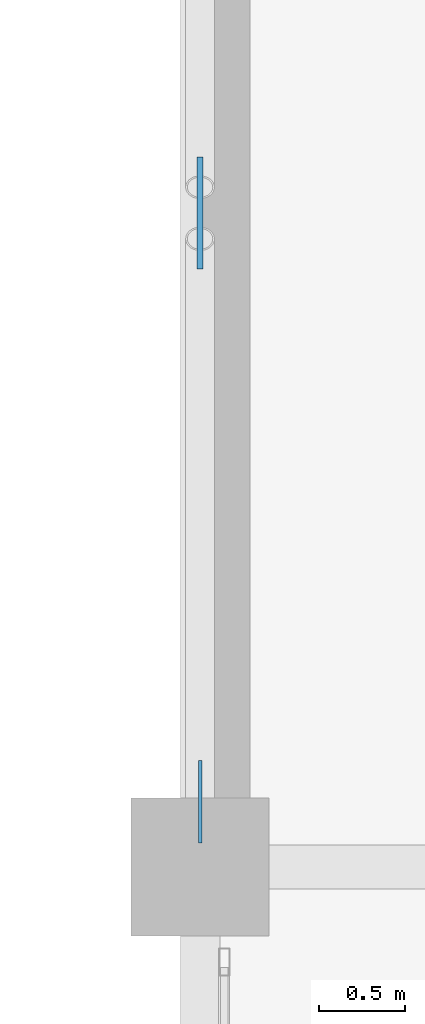
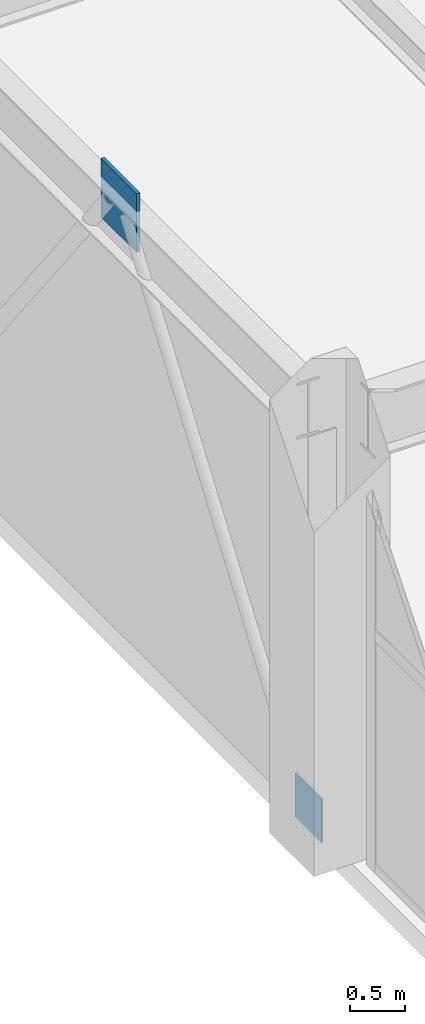
# One storey, part 107 of 128: 2 plates.
"""IFC4 building model written with IfcOpenShell, lengths in metres."""

from ifc_helpers import new_model, si_unit, direction, frame, origin, origin_2d, place, context, subcontext, project, spatial, rectangle, extrude, material, layer, layer_set, type_object, element, save


model = new_model("IFC4")

# Units and contexts
model_context = context("Model", 3, precision=1e-05, world=origin(), true_north=direction((0.0, 1.0)))
body_context = subcontext(model_context, "Body", "Model", "MODEL_VIEW")
ifc_project = project(units=[si_unit("LENGTHUNIT", "METRE"), si_unit("AREAUNIT", "SQUARE_METRE"), si_unit("VOLUMEUNIT", "CUBIC_METRE"), si_unit("PLANEANGLEUNIT", "RADIAN"), si_unit("MASSUNIT", "GRAM", prefix="KILO")], contexts=[model_context])

# Site, building, storey
site_placement = place(None, origin())
site = spatial("IfcSite", under=ifc_project, at=site_placement, CompositionType="ELEMENT")
building_placement = place(site_placement, origin())
building = spatial("IfcBuilding", under=site, at=building_placement, Name="Xicomal Pleat Aquarium", CompositionType="ELEMENT")
storey_placement = place(building_placement, frame((0.0, 0.0, 5.39990234375)))
storey = spatial("IfcBuildingStorey", under=building, at=storey_placement, Name="L02", CompositionType="ELEMENT", Elevation=5.39990234375)

# Plates
ifc_material_1 = material(Name="Structural steel A992 Gr 50", Category="steel")
ifc_layer_1 = layer(ifc_material_1, 0.02001953125)
ifc_layer_set_1 = layer_set([ifc_layer_1], Name="Structural steel A992 Gr 50")
plate_type_1 = type_object("IfcPlateType", Name="PLT-CAP-20", PredefinedType="SHEET", material=ifc_layer_set_1)
plate_1_placement = place(storey_placement, frame((3.0, 53.580078125, -0.08984375), z_axis=(0.0, 0.0, 1.0), x_axis=(0.0, 1.0, 0.0)))
element("IfcPlate", 1, at=plate_1_placement, inside=storey, type_object=plate_type_1, Name="L02 HSS end cap plate 8", PredefinedType="SHEET", context=body_context, shape_type="SweptSolid", body=[
    extrude(rectangle(XDim=0.47998046875, YDim=0.02001953125, at=origin_2d()), origin(), (0.0, 0.0, 1.0), 0.47998046875),
])
ifc_material_2 = material(Name="Structural steel A992 Gr 50", Category="steel")
ifc_layer_2 = layer(ifc_material_2, 0.034912109375)
ifc_layer_set_2 = layer_set([ifc_layer_2], Name="Structural steel A992 Gr 50")
plate_type_2 = type_object("IfcPlateType", Name="PLT-GUS-35", PredefinedType="USERDEFINED", material=ifc_layer_set_2)
plate_2_placement = place(storey_placement, frame((3.0, 57.0, 4.425048828125), z_axis=(0.0, 0.0, 1.0), x_axis=(0.0, 1.0, 0.0)))
element("IfcPlate", 2, at=plate_2_placement, inside=storey, type_object=plate_type_2, Name="L02 chevron gusset node plate 8", ObjectType="GUSSET PLATE", PredefinedType="USERDEFINED", context=body_context, shape_type="SweptSolid", body=[
    extrude(rectangle(XDim=0.64990234375, YDim=0.034912109375, at=origin_2d()), origin(), (0.0, 0.0, 1.0), 0.64990234375),
])

save(model, "model.ifc")
